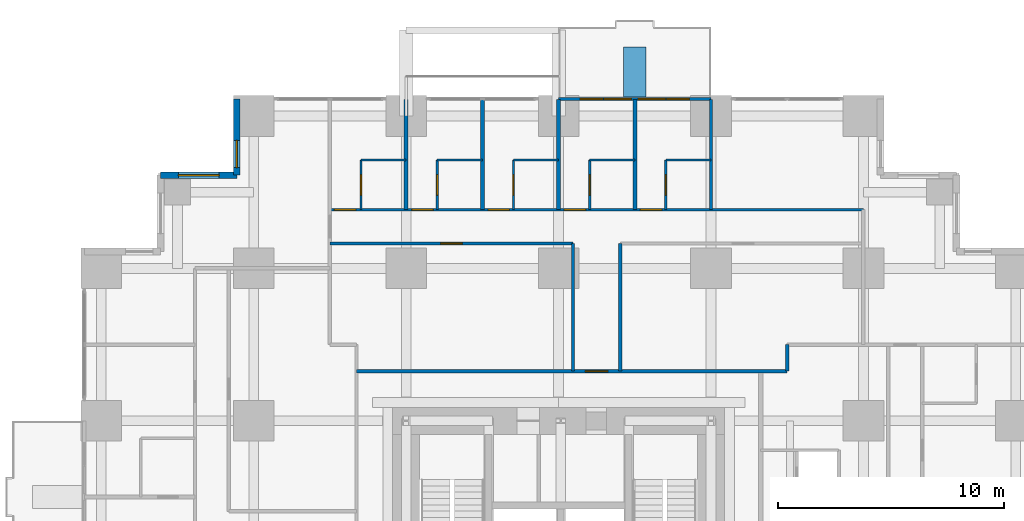
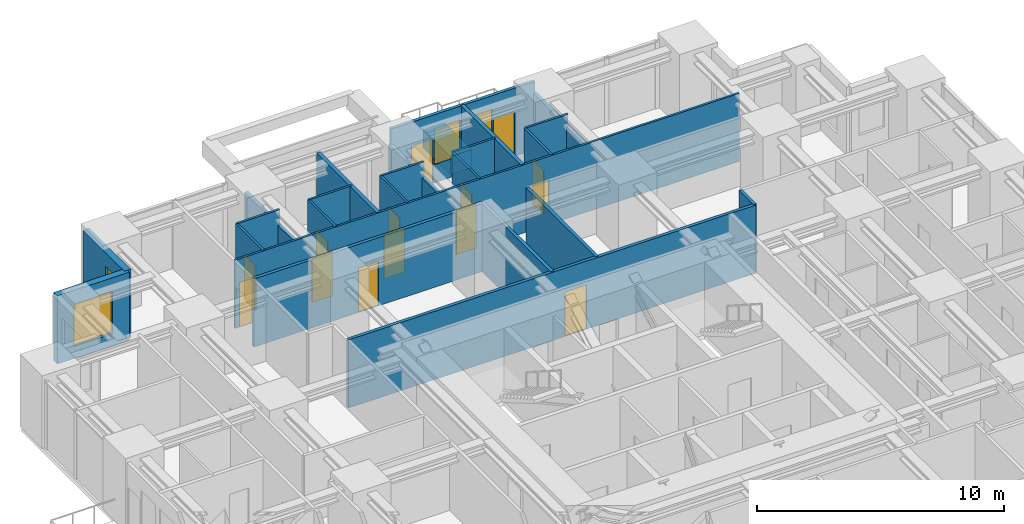
# One storey, part 12 of 14: 25 walls, 14 doors, 4 windows, 18 openings.
"""IFC4 building model written with IfcOpenShell, lengths in metres."""

from ifc_helpers import new_model, si_unit, direction, frame, frame_2d, origin, place, context, subcontext, project, spatial, rectangle, extrude, material, layer, layer_set, type_object, element, fill, save


model = new_model("IFC4")

# Units and contexts
model_context = context("Model", 3, precision=1e-05, world=origin(), true_north=direction((0.0, 1.0)))
body_context = subcontext(model_context, "Body", "Model", "MODEL_VIEW")
ifc_project = project(units=[si_unit("LENGTHUNIT", "METRE"), si_unit("AREAUNIT", "SQUARE_METRE"), si_unit("VOLUMEUNIT", "CUBIC_METRE"), si_unit("PLANEANGLEUNIT", "RADIAN"), si_unit("MASSUNIT", "GRAM", prefix="KILO")], contexts=[model_context])

# Site, building, storey
site_placement = place(None, origin())
site = spatial("IfcSite", under=ifc_project, at=site_placement, CompositionType="ELEMENT")
building_placement = place(site_placement, origin())
building = spatial("IfcBuilding", under=site, at=building_placement, Name="Nyansa Garden Tower", CompositionType="ELEMENT")
storey_placement = place(building_placement, frame((0.0, 0.0, 64.800048828125)))
storey = spatial("IfcBuildingStorey", under=building, at=storey_placement, Name="L17", CompositionType="ELEMENT", Elevation=64.800048828125)

# Walls
ifc_material_1 = material(Name="Dense blockwork, plastered both sides, 55 dB", Category="masonry")
ifc_layer_1 = layer(ifc_material_1, 0.175048828125)
ifc_layer_set_1 = layer_set([ifc_layer_1], Name="Acoustic party wall PW175")
wall_type_1 = type_object("IfcWallType", Name="Acoustic party wall PW175", PredefinedType="PARTITIONING", material=ifc_layer_set_1)
wall_1_placement = place(storey_placement, frame((13.5, 36.35009765625, 0.0), z_axis=(0.0, 0.0, 1.0), x_axis=(0.0, 1.0, 0.0)))
element("IfcWall", 1, at=wall_1_placement, inside=storey, type_object=wall_type_1, Name="Party wall", PredefinedType="PARTITIONING", context=body_context, shape_type="SweptSolid", body=[
    extrude(rectangle(XDim=4.8837890625, YDim=0.175048828125, at=frame_2d((2.44189453125, 0.0))), origin(), (0.0, 0.0, 1.0), 2.60986328125),
])
wall_2_placement = place(storey_placement, frame((16.875, 36.35009765625, 0.0), z_axis=(0.0, 0.0, 1.0), x_axis=(0.0, 1.0, 0.0)))
element("IfcWall", 2, at=wall_2_placement, inside=storey, type_object=wall_type_1, Name="Party wall", PredefinedType="PARTITIONING", context=body_context, shape_type="SweptSolid", body=[
    extrude(rectangle(XDim=4.8837890625, YDim=0.175048828125, at=frame_2d((2.44189453125, 0.0))), origin(), (0.0, 0.0, 1.0), 3.375),
])
wall_3_placement = place(storey_placement, frame((20.25, 36.35009765625, 0.0), z_axis=(0.0, 0.0, 1.0), x_axis=(0.0, 1.0, 0.0)))
element("IfcWall", 3, at=wall_3_placement, inside=storey, type_object=wall_type_1, Name="Party wall", PredefinedType="PARTITIONING", context=body_context, shape_type="SweptSolid", body=[
    extrude(rectangle(XDim=4.8837890625, YDim=0.175048828125, at=frame_2d((2.44189453125, 0.0))), origin(), (0.0, 0.0, 1.0), 2.60986328125),
])
wall_4_placement = place(storey_placement, frame((23.625, 36.35009765625, 0.0), z_axis=(0.0, 0.0, 1.0), x_axis=(0.0, 1.0, 0.0)))
element("IfcWall", 4, at=wall_4_placement, inside=storey, type_object=wall_type_1, Name="Party wall", PredefinedType="PARTITIONING", context=body_context, shape_type="SweptSolid", body=[
    extrude(rectangle(XDim=4.8837890625, YDim=0.175048828125, at=frame_2d((2.44189453125, 0.0))), origin(), (0.0, 0.0, 1.0), 3.375),
])

# Wall, openings, doors, windows
ifc_material_2 = material(Name="Black aluminium framed glazed screen", Category="aluminium")
ifc_layer_2 = layer(ifc_material_2, 0.14990234375)
ifc_layer_set_2 = layer_set([ifc_layer_2], Name="Balcony screen wall BW150")
wall_type_2 = type_object("IfcWallType", Name="Balcony screen wall BW150", PredefinedType="SOLIDWALL", material=ifc_layer_set_2)
wall_5_placement = place(storey_placement, frame((20.25, 41.25, 0.0), z_axis=(0.0, 0.0, 1.0), x_axis=(1.0, 0.0, 0.0)))
wall_5 = element("IfcWall", 5, at=wall_5_placement, inside=storey, type_object=wall_type_2, Name="Glazed screen wall L17 N", PredefinedType="SOLIDWALL", context=body_context, shape_type="SweptSolid", body=[
    extrude(rectangle(XDim=6.75, YDim=0.14990234375, at=frame_2d((3.375, 0.0))), origin(), (0.0, 0.0, 1.0), 3.375),
])
opening_1_placement = place(wall_5_placement, frame((0.96240234375, 0.0, 0.0)))
opening_1 = element("IfcOpeningElement", 6, at=opening_1_placement, cuts=wall_5, Name="Opening D20", PredefinedType="OPENING", context=body_context, shape_type="SweptSolid", body=[
    extrude(rectangle(XDim=1.0, YDim=2.199951171875, at=frame_2d((0.5, 1.10009765625))), frame((0.0, 0.0849609375, 0.0), z_axis=(0.0, -1.0, 0.0), x_axis=(1.0, 0.0, 0.0)), (0.0, 0.0, 1.0), 0.169921875),
])
opening_2_placement = place(wall_5_placement, frame((2.02490234375, 0.0, 0.89990234375)))
opening_2 = element("IfcOpeningElement", 7, at=opening_2_placement, cuts=wall_5, Name="Opening W6", PredefinedType="OPENING", context=body_context, shape_type="SweptSolid", body=[
    extrude(rectangle(XDim=1.199951171875, YDim=1.800048828125, at=frame_2d((0.60009765625, 0.89990234375))), frame((0.0, 0.0849609375, 0.0), z_axis=(0.0, -1.0, 0.0), x_axis=(1.0, 0.0, 0.0)), (0.0, 0.0, 1.0), 0.169921875),
])
opening_3_placement = place(wall_5_placement, frame((4.78759765625, 0.0, 0.0)))
opening_3 = element("IfcOpeningElement", 8, at=opening_3_placement, cuts=wall_5, Name="Opening D20", PredefinedType="OPENING", context=body_context, shape_type="SweptSolid", body=[
    extrude(rectangle(XDim=1.0, YDim=2.199951171875, at=frame_2d((0.5, 1.10009765625))), frame((0.0, 0.0849609375, 0.0), z_axis=(0.0, -1.0, 0.0), x_axis=(1.0, 0.0, 0.0)), (0.0, 0.0, 1.0), 0.169921875),
])
opening_4_placement = place(wall_5_placement, frame((3.52490234375, 0.0, 0.89990234375)))
opening_4 = element("IfcOpeningElement", 9, at=opening_4_placement, cuts=wall_5, Name="Opening W6", PredefinedType="OPENING", context=body_context, shape_type="SweptSolid", body=[
    extrude(rectangle(XDim=1.199951171875, YDim=1.800048828125, at=frame_2d((0.60009765625, 0.89990234375))), frame((0.0, 0.0849609375, 0.0), z_axis=(0.0, -1.0, 0.0), x_axis=(1.0, 0.0, 0.0)), (0.0, 0.0, 1.0), 0.169921875),
])
ifc_material_3 = material(Name="Black aluminium framed glazed door", Category="aluminium")
door_type_1 = type_object("IfcDoorType", Name="Balcony door D20 1000x2200", OperationType="NOTDEFINED", PredefinedType="DOOR", material=ifc_material_3)
door_1_placement = place(opening_1_placement, origin())
door_1 = element("IfcDoor", 10, at=door_1_placement, inside=storey, type_object=door_type_1, Name="Balcony door L17", OperationType="SINGLE_SWING_LEFT", OverallHeight=2.199951171875, OverallWidth=1.0, PredefinedType="DOOR", context=body_context, shape_type="SweptSolid", body=[
    extrude(rectangle(XDim=1.0, YDim=2.199951171875, at=frame_2d((0.5, 1.10009765625))), frame((0.0, 0.02490234375, 0.0), z_axis=(0.0, -1.0, 0.0), x_axis=(1.0, 0.0, 0.0)), (0.0, 0.0, 1.0), 0.050048828125),
])
fill(opening_1, door_1)
door_2_placement = place(opening_3_placement, origin())
door_2 = element("IfcDoor", 11, at=door_2_placement, inside=storey, type_object=door_type_1, Name="Balcony door L17", OperationType="SINGLE_SWING_RIGHT", OverallHeight=2.199951171875, OverallWidth=1.0, PredefinedType="DOOR", context=body_context, shape_type="SweptSolid", body=[
    extrude(rectangle(XDim=1.0, YDim=2.199951171875, at=frame_2d((0.5, 1.10009765625))), frame((0.0, 0.02490234375, 0.0), z_axis=(0.0, -1.0, 0.0), x_axis=(1.0, 0.0, 0.0)), (0.0, 0.0, 1.0), 0.050048828125),
])
fill(opening_3, door_2)
ifc_material_4 = material(Name="Black aluminium frame, dark tinted double glazing", Category="aluminium")
window_type_1 = type_object("IfcWindowType", Name="Balcony window W6 1200x1800", PartitioningType="SINGLE_PANEL", PredefinedType="WINDOW", material=ifc_material_4)
window_1_placement = place(opening_2_placement, origin())
window_1 = element("IfcWindow", 12, at=window_1_placement, inside=storey, type_object=window_type_1, Name="Window L17", OverallHeight=1.800048828125, OverallWidth=1.199951171875, PartitioningType="SINGLE_PANEL", PredefinedType="WINDOW", context=body_context, shape_type="SweptSolid", body=[
    extrude(rectangle(XDim=1.199951171875, YDim=1.800048828125, at=frame_2d((0.60009765625, 0.89990234375))), frame((0.0, 0.030029296875, 0.0), z_axis=(0.0, -1.0, 0.0), x_axis=(1.0, 0.0, 0.0)), (0.0, 0.0, 1.0), 0.06005859375),
])
fill(opening_2, window_1)
window_2_placement = place(opening_4_placement, origin())
window_2 = element("IfcWindow", 13, at=window_2_placement, inside=storey, type_object=window_type_1, Name="Window L17", OverallHeight=1.800048828125, OverallWidth=1.199951171875, PartitioningType="SINGLE_PANEL", PredefinedType="WINDOW", context=body_context, shape_type="SweptSolid", body=[
    extrude(rectangle(XDim=1.199951171875, YDim=1.800048828125, at=frame_2d((0.60009765625, 0.89990234375))), frame((0.0, 0.030029296875, 0.0), z_axis=(0.0, -1.0, 0.0), x_axis=(1.0, 0.0, 0.0)), (0.0, 0.0, 1.0), 0.06005859375),
])
fill(opening_4, window_2)

# Wall, opening, door
ifc_material_5 = material(Name="Blockwork, plastered both sides", Category="masonry")
ifc_layer_3 = layer(ifc_material_5, 0.14990234375)
ifc_layer_set_3 = layer_set([ifc_layer_3], Name="Partition PW150")
wall_type_3 = type_object("IfcWallType", Name="Partition PW150", PredefinedType="PARTITIONING", material=ifc_layer_set_3)
wall_6_placement = place(storey_placement, frame((10.125, 34.85009765625, 0.0), z_axis=(0.0, 0.0, 1.0), x_axis=(1.0, 0.0, 0.0)))
wall_6 = element("IfcWall", 14, at=wall_6_placement, inside=storey, type_object=wall_type_3, Name="Partition", PredefinedType="PARTITIONING", context=body_context, shape_type="SweptSolid", body=[
    extrude(rectangle(XDim=10.762451171875, YDim=0.14990234375, at=frame_2d((5.38134765625, 0.0))), origin(), (0.0, 0.0, 1.0), 3.375),
])
opening_5_placement = place(wall_6_placement, frame((4.89990234375, 0.0, 0.0)))
opening_5 = element("IfcOpeningElement", 15, at=opening_5_placement, cuts=wall_6, Name="Opening D01", PredefinedType="OPENING", context=body_context, shape_type="SweptSolid", body=[
    extrude(rectangle(XDim=0.949951171875, YDim=2.199951171875, at=frame_2d((0.47509765625, 1.10009765625))), frame((0.0, 0.0849609375, 0.0), z_axis=(0.0, -1.0, 0.0), x_axis=(1.0, 0.0, 0.0)), (0.0, 0.0, 1.0), 0.169921875),
])
ifc_material_6 = material(Name="Timber flush door, 30 minute fire resisting", Category="wood")
door_type_2 = type_object("IfcDoorType", Name="Bedroom door D01 950x2200", OperationType="SINGLE_SWING_LEFT", PredefinedType="DOOR", material=ifc_material_6)
door_3_placement = place(opening_5_placement, origin())
door_3 = element("IfcDoor", 16, at=door_3_placement, inside=storey, type_object=door_type_2, Name="Door L17-056", OperationType="SINGLE_SWING_LEFT", OverallHeight=2.199951171875, OverallWidth=0.949951171875, PredefinedType="DOOR", context=body_context, shape_type="SweptSolid", body=[
    extrude(rectangle(XDim=0.949951171875, YDim=2.199951171875, at=frame_2d((0.47509765625, 1.10009765625))), frame((0.0, 0.02490234375, 0.0), z_axis=(0.0, -1.0, 0.0), x_axis=(1.0, 0.0, 0.0)), (0.0, 0.0, 1.0), 0.050048828125),
])
fill(opening_5, door_3)

wall_7_placement = place(storey_placement, frame((11.300048828125, 29.199951171875, 0.0), z_axis=(0.0, 0.0, 1.0), x_axis=(1.0, 0.0, 0.0)))
wall_7 = element("IfcWall", 17, at=wall_7_placement, inside=storey, type_object=wall_type_3, Name="Partition", PredefinedType="PARTITIONING", context=body_context, shape_type="SweptSolid", body=[
    extrude(rectangle(XDim=19.074951171875, YDim=0.14990234375, at=frame_2d((9.53759765625, 0.0))), origin(), (0.0, 0.0, 1.0), 3.375),
])
opening_6_placement = place(wall_7_placement, frame((10.137451171875, 0.0, 0.0)))
opening_6 = element("IfcOpeningElement", 18, at=opening_6_placement, cuts=wall_7, Name="Opening D03", PredefinedType="OPENING", context=body_context, shape_type="SweptSolid", body=[
    extrude(rectangle(XDim=1.0, YDim=2.199951171875, at=frame_2d((0.5, 1.10009765625))), frame((0.0, 0.0849609375, 0.0), z_axis=(0.0, -1.0, 0.0), x_axis=(1.0, 0.0, 0.0)), (0.0, 0.0, 1.0), 0.169921875),
])
ifc_material_7 = material(Name="Timber flush door, 60 minute fire resisting", Category="wood")
door_type_3 = type_object("IfcDoorType", Name="Cluster entrance door D03 1000x2200", OperationType="SINGLE_SWING_LEFT", PredefinedType="DOOR", material=ifc_material_7)
door_4_placement = place(opening_6_placement, origin())
door_4 = element("IfcDoor", 19, at=door_4_placement, inside=storey, type_object=door_type_3, Name="Door L17-055", OperationType="SINGLE_SWING_LEFT", OverallHeight=2.199951171875, OverallWidth=1.0, PredefinedType="DOOR", context=body_context, shape_type="SweptSolid", body=[
    extrude(rectangle(XDim=1.0, YDim=2.199951171875, at=frame_2d((0.5, 1.10009765625))), frame((0.0, 0.02490234375, 0.0), z_axis=(0.0, -1.0, 0.0), x_axis=(1.0, 0.0, 0.0)), (0.0, 0.0, 1.0), 0.050048828125),
])
fill(opening_6, door_4)

# Walls
for number, where, z_axis, x_axis, name in (
    (20, (20.886962890625, 29.199951171875, 0.0), (0.0, 0.0, 1.0), (0.0, 1.0, 0.0), "Partition"),
    (21, (22.988037109375, 29.199951171875, 0.0), (0.0, 0.0, 1.0), (0.0, 1.0, 0.0), "Partition"),
):
    element("IfcWall", number, at=place(storey_placement, frame(where, z_axis=z_axis, x_axis=x_axis)), inside=storey, type_object=wall_type_3, Name=name, PredefinedType="PARTITIONING", context=body_context, shape_type="SweptSolid", body=[
        extrude(rectangle(XDim=5.650146484375, YDim=0.14990234375, at=frame_2d((2.8251953125, 0.0))), origin(), (0.0, 0.0, 1.0), 3.375),
    ])
wall_8_placement = place(storey_placement, frame((27.0, 36.35009765625, 0.0), z_axis=(0.0, 0.0, 1.0), x_axis=(0.0, 1.0, 0.0)))
element("IfcWall", 22, at=wall_8_placement, inside=storey, type_object=wall_type_3, Name="Partition", PredefinedType="PARTITIONING", context=body_context, shape_type="SweptSolid", body=[
    extrude(rectangle(XDim=4.8837890625, YDim=0.14990234375, at=frame_2d((2.44189453125, 0.0))), origin(), (0.0, 0.0, 1.0), 2.805908203125),
])
wall_9_placement = place(storey_placement, frame((30.375, 29.199951171875, 0.0), z_axis=(0.0, 0.0, 1.0), x_axis=(0.0, 1.0, 0.0)))
element("IfcWall", 23, at=wall_9_placement, inside=storey, type_object=wall_type_3, Name="Partition", PredefinedType="PARTITIONING", context=body_context, shape_type="SweptSolid", body=[
    extrude(rectangle(XDim=1.175048828125, YDim=0.14990234375, at=frame_2d((0.58740234375, 0.0))), origin(), (0.0, 0.0, 1.0), 3.375),
])

# Wall, opening, window
ifc_material_8 = material(Name="Turquoise glazed tile on concrete blockwork", Category="masonry")
ifc_layer_4 = layer(ifc_material_8, 0.300048828125)
ifc_layer_set_4 = layer_set([ifc_layer_4], Name="Tiled corner wall TW300")
wall_type_4 = type_object("IfcWallType", Name="Tiled corner wall TW300", PredefinedType="SOLIDWALL", material=ifc_layer_set_4)
wall_10_placement = place(storey_placement, frame((6.0, 41.25, 0.0), z_axis=(0.0, 0.0, 1.0), x_axis=(0.0, -1.0, 0.0)))
wall_10 = element("IfcWall", 24, at=wall_10_placement, inside=storey, type_object=wall_type_4, Name="Tiled corner wall L17", PredefinedType="SOLIDWALL", context=body_context, shape_type="SweptSolid", body=[
    extrude(rectangle(XDim=3.375, YDim=0.300048828125, at=frame_2d((1.6875, 0.0))), origin(), (0.0, 0.0, 1.0), 3.375),
])
opening_7_placement = place(wall_10_placement, frame((1.83251953125, 0.0, 0.89990234375)))
opening_7 = element("IfcOpeningElement", 25, at=opening_7_placement, cuts=wall_10, Name="Opening W4", PredefinedType="OPENING", context=body_context, shape_type="SweptSolid", body=[
    extrude(rectangle(XDim=1.199951171875, YDim=1.800048828125, at=frame_2d((0.60009765625, 0.89990234375))), frame((0.0, 0.159912109375, 0.0), z_axis=(0.0, -1.0, 0.0), x_axis=(1.0, 0.0, 0.0)), (0.0, 0.0, 1.0), 0.320068359375),
])
ifc_material_9 = material(Name="Black aluminium frame, dark tinted double glazing", Category="aluminium")
window_type_2 = type_object("IfcWindowType", Name="Window W4 1200x1800", PartitioningType="SINGLE_PANEL", PredefinedType="WINDOW", material=ifc_material_9)
window_3_placement = place(opening_7_placement, origin())
window_3 = element("IfcWindow", 26, at=window_3_placement, inside=storey, type_object=window_type_2, Name="Corner window L17", OverallHeight=1.800048828125, OverallWidth=1.199951171875, PartitioningType="SINGLE_PANEL", PredefinedType="WINDOW", context=body_context, shape_type="SweptSolid", body=[
    extrude(rectangle(XDim=1.199951171875, YDim=1.800048828125, at=frame_2d((0.60009765625, 0.89990234375))), frame((0.0, 0.030029296875, 0.0), z_axis=(0.0, -1.0, 0.0), x_axis=(1.0, 0.0, 0.0)), (0.0, 0.0, 1.0), 0.06005859375),
])
fill(opening_7, window_3)

wall_11_placement = place(storey_placement, frame((6.0, 37.875, 0.0), z_axis=(0.0, 0.0, 1.0), x_axis=(-1.0, 0.0, 0.0)))
wall_11 = element("IfcWall", 27, at=wall_11_placement, inside=storey, type_object=wall_type_4, Name="Tiled corner wall L17", PredefinedType="SOLIDWALL", context=body_context, shape_type="SweptSolid", body=[
    extrude(rectangle(XDim=3.375, YDim=0.300048828125, at=frame_2d((1.6875, 0.0))), origin(), (0.0, 0.0, 1.0), 3.375),
])
opening_8_placement = place(wall_11_placement, frame((0.78759765625, 0.0, 0.60009765625)))
opening_8 = element("IfcOpeningElement", 28, at=opening_8_placement, cuts=wall_11, Name="Opening W2", PredefinedType="OPENING", context=body_context, shape_type="SweptSolid", body=[
    extrude(rectangle(XDim=1.800048828125, YDim=2.10009765625, at=frame_2d((0.89990234375, 1.050048828125))), frame((0.0, 0.159912109375, 0.0), z_axis=(0.0, -1.0, 0.0), x_axis=(1.0, 0.0, 0.0)), (0.0, 0.0, 1.0), 0.320068359375),
])
ifc_material_10 = material(Name="Black aluminium frame, dark tinted double glazing", Category="aluminium")
window_type_3 = type_object("IfcWindowType", Name="Window W2 1800x2100", PartitioningType="SINGLE_PANEL", PredefinedType="WINDOW", material=ifc_material_10)
window_4_placement = place(opening_8_placement, origin())
window_4 = element("IfcWindow", 29, at=window_4_placement, inside=storey, type_object=window_type_3, Name="Corner window L17", OverallHeight=2.10009765625, OverallWidth=1.800048828125, PartitioningType="SINGLE_PANEL", PredefinedType="WINDOW", context=body_context, shape_type="SweptSolid", body=[
    extrude(rectangle(XDim=1.800048828125, YDim=2.10009765625, at=frame_2d((0.89990234375, 1.050048828125))), frame((0.0, 0.030029296875, 0.0), z_axis=(0.0, -1.0, 0.0), x_axis=(1.0, 0.0, 0.0)), (0.0, 0.0, 1.0), 0.06005859375),
])
fill(opening_8, window_4)

# Wall
ifc_material_11 = material(Name="Concrete C40/50 planter, waterproofed", Category="concrete")
ifc_layer_5 = layer(ifc_material_11, 1.0)
ifc_layer_set_5 = layer_set([ifc_layer_5], Name="Tree planter TP1")
wall_type_5 = type_object("IfcWallType", Name="Tree planter TP1", PredefinedType="USERDEFINED", material=ifc_layer_set_5)
wall_12_placement = place(storey_placement, frame((23.625, 41.35009765625, 0.0), z_axis=(0.0, 0.0, 1.0), x_axis=(0.0, 1.0, 0.0)))
element("IfcWall", 30, at=wall_12_placement, inside=storey, type_object=wall_type_5, Name="Tree planter L17", ObjectType="TREE PLANTER", PredefinedType="USERDEFINED", context=body_context, shape_type="SweptSolid", body=[
    extrude(rectangle(XDim=2.199951171875, YDim=1.0, at=frame_2d((1.10009765625, 0.0))), origin(), (0.0, 0.0, 1.0), 0.89990234375),
])

# Wall, openings, doors
ifc_material_12 = material(Name="Moisture resistant board on steel studs, tiled", Category="steel")
ifc_layer_6 = layer(ifc_material_12, 0.10009765625)
ifc_layer_set_6 = layer_set([ifc_layer_6], Name="Wet wall PW100")
wall_type_6 = type_object("IfcWallType", Name="Wet wall PW100", PredefinedType="PARTITIONING", material=ifc_layer_set_6)
wall_13_placement = place(storey_placement, frame((10.125, 36.35009765625, 0.0), z_axis=(0.0, 0.0, 1.0), x_axis=(1.0, 0.0, 0.0)))
wall_13 = element("IfcWall", 31, at=wall_13_placement, inside=storey, type_object=wall_type_6, Name="Wet wall", PredefinedType="PARTITIONING", context=body_context, shape_type="SweptSolid", body=[
    extrude(rectangle(XDim=23.625, YDim=0.10009765625, at=frame_2d((11.8125, 0.0))), origin(), (0.0, 0.0, 1.0), 3.375),
])
opening_9_placement = place(wall_13_placement, frame((0.199951171875, 0.0, 0.0)))
opening_9 = element("IfcOpeningElement", 32, at=opening_9_placement, cuts=wall_13, Name="Opening D14", PredefinedType="OPENING", context=body_context, shape_type="SweptSolid", body=[
    extrude(rectangle(XDim=0.949951171875, YDim=2.199951171875, at=frame_2d((0.47509765625, 1.10009765625))), frame((0.0, 0.06005859375, 0.0), z_axis=(0.0, -1.0, 0.0), x_axis=(1.0, 0.0, 0.0)), (0.0, 0.0, 1.0), 0.1201171875),
])
opening_10_placement = place(wall_13_placement, frame((3.625, 0.0, 0.0)))
opening_10 = element("IfcOpeningElement", 33, at=opening_10_placement, cuts=wall_13, Name="Opening D14", PredefinedType="OPENING", context=body_context, shape_type="SweptSolid", body=[
    extrude(rectangle(XDim=0.949951171875, YDim=2.199951171875, at=frame_2d((0.47509765625, 1.10009765625))), frame((0.0, 0.06005859375, 0.0), z_axis=(0.0, -1.0, 0.0), x_axis=(1.0, 0.0, 0.0)), (0.0, 0.0, 1.0), 0.1201171875),
])
opening_11_placement = place(wall_13_placement, frame((7.0, 0.0, 0.0)))
opening_11 = element("IfcOpeningElement", 34, at=opening_11_placement, cuts=wall_13, Name="Opening D14", PredefinedType="OPENING", context=body_context, shape_type="SweptSolid", body=[
    extrude(rectangle(XDim=0.949951171875, YDim=2.199951171875, at=frame_2d((0.47509765625, 1.10009765625))), frame((0.0, 0.06005859375, 0.0), z_axis=(0.0, -1.0, 0.0), x_axis=(1.0, 0.0, 0.0)), (0.0, 0.0, 1.0), 0.1201171875),
])
opening_12_placement = place(wall_13_placement, frame((10.375, 0.0, 0.0)))
opening_12 = element("IfcOpeningElement", 35, at=opening_12_placement, cuts=wall_13, Name="Opening D14", PredefinedType="OPENING", context=body_context, shape_type="SweptSolid", body=[
    extrude(rectangle(XDim=0.949951171875, YDim=2.199951171875, at=frame_2d((0.47509765625, 1.10009765625))), frame((0.0, 0.06005859375, 0.0), z_axis=(0.0, -1.0, 0.0), x_axis=(1.0, 0.0, 0.0)), (0.0, 0.0, 1.0), 0.1201171875),
])
opening_13_placement = place(wall_13_placement, frame((13.75, 0.0, 0.0)))
opening_13 = element("IfcOpeningElement", 36, at=opening_13_placement, cuts=wall_13, Name="Opening D14", PredefinedType="OPENING", context=body_context, shape_type="SweptSolid", body=[
    extrude(rectangle(XDim=0.949951171875, YDim=2.199951171875, at=frame_2d((0.47509765625, 1.10009765625))), frame((0.0, 0.06005859375, 0.0), z_axis=(0.0, -1.0, 0.0), x_axis=(1.0, 0.0, 0.0)), (0.0, 0.0, 1.0), 0.1201171875),
])
ifc_material_13 = material(Name="Timber flush door, 60 minute fire resisting, self-closing", Category="wood")
door_type_4 = type_object("IfcDoorType", Name="Studio entrance door D14 950x2200", OperationType="SINGLE_SWING_LEFT", PredefinedType="DOOR", material=ifc_material_13)
door_5_placement = place(opening_9_placement, origin())
door_5 = element("IfcDoor", 37, at=door_5_placement, inside=storey, type_object=door_type_4, Name="Door L17-045", OperationType="SINGLE_SWING_LEFT", OverallHeight=2.199951171875, OverallWidth=0.949951171875, PredefinedType="DOOR", context=body_context, shape_type="SweptSolid", body=[
    extrude(rectangle(XDim=0.949951171875, YDim=2.199951171875, at=frame_2d((0.47509765625, 1.10009765625))), frame((0.0, 0.02490234375, 0.0), z_axis=(0.0, -1.0, 0.0), x_axis=(1.0, 0.0, 0.0)), (0.0, 0.0, 1.0), 0.050048828125),
])
fill(opening_9, door_5)
door_6_placement = place(opening_10_placement, origin())
door_6 = element("IfcDoor", 38, at=door_6_placement, inside=storey, type_object=door_type_4, Name="Door L17-047", OperationType="SINGLE_SWING_LEFT", OverallHeight=2.199951171875, OverallWidth=0.949951171875, PredefinedType="DOOR", context=body_context, shape_type="SweptSolid", body=[
    extrude(rectangle(XDim=0.949951171875, YDim=2.199951171875, at=frame_2d((0.47509765625, 1.10009765625))), frame((0.0, 0.02490234375, 0.0), z_axis=(0.0, -1.0, 0.0), x_axis=(1.0, 0.0, 0.0)), (0.0, 0.0, 1.0), 0.050048828125),
])
fill(opening_10, door_6)
door_7_placement = place(opening_11_placement, origin())
door_7 = element("IfcDoor", 39, at=door_7_placement, inside=storey, type_object=door_type_4, Name="Door L17-049", OperationType="SINGLE_SWING_LEFT", OverallHeight=2.199951171875, OverallWidth=0.949951171875, PredefinedType="DOOR", context=body_context, shape_type="SweptSolid", body=[
    extrude(rectangle(XDim=0.949951171875, YDim=2.199951171875, at=frame_2d((0.47509765625, 1.10009765625))), frame((0.0, 0.02490234375, 0.0), z_axis=(0.0, -1.0, 0.0), x_axis=(1.0, 0.0, 0.0)), (0.0, 0.0, 1.0), 0.050048828125),
])
fill(opening_11, door_7)
door_8_placement = place(opening_12_placement, origin())
door_8 = element("IfcDoor", 40, at=door_8_placement, inside=storey, type_object=door_type_4, Name="Door L17-051", OperationType="SINGLE_SWING_LEFT", OverallHeight=2.199951171875, OverallWidth=0.949951171875, PredefinedType="DOOR", context=body_context, shape_type="SweptSolid", body=[
    extrude(rectangle(XDim=0.949951171875, YDim=2.199951171875, at=frame_2d((0.47509765625, 1.10009765625))), frame((0.0, 0.02490234375, 0.0), z_axis=(0.0, -1.0, 0.0), x_axis=(1.0, 0.0, 0.0)), (0.0, 0.0, 1.0), 0.050048828125),
])
fill(opening_12, door_8)
door_9_placement = place(opening_13_placement, origin())
door_9 = element("IfcDoor", 41, at=door_9_placement, inside=storey, type_object=door_type_4, Name="Door L17-053", OperationType="SINGLE_SWING_LEFT", OverallHeight=2.199951171875, OverallWidth=0.949951171875, PredefinedType="DOOR", context=body_context, shape_type="SweptSolid", body=[
    extrude(rectangle(XDim=0.949951171875, YDim=2.199951171875, at=frame_2d((0.47509765625, 1.10009765625))), frame((0.0, 0.02490234375, 0.0), z_axis=(0.0, -1.0, 0.0), x_axis=(1.0, 0.0, 0.0)), (0.0, 0.0, 1.0), 0.050048828125),
])
fill(opening_13, door_9)

# Wall, opening, door
wall_14_placement = place(storey_placement, frame((11.5, 36.35009765625, 0.0), z_axis=(0.0, 0.0, 1.0), x_axis=(0.0, 1.0, 0.0)))
wall_14 = element("IfcWall", 42, at=wall_14_placement, inside=storey, type_object=wall_type_6, Name="Wet wall", PredefinedType="PARTITIONING", context=body_context, shape_type="SweptSolid", body=[
    extrude(rectangle(XDim=2.199951171875, YDim=0.10009765625, at=frame_2d((1.10009765625, 0.0))), origin(), (0.0, 0.0, 1.0), 3.375),
])
opening_14_placement = place(wall_14_placement, frame((0.64990234375, 0.0, 0.0)))
opening_14 = element("IfcOpeningElement", 43, at=opening_14_placement, cuts=wall_14, Name="Opening D02", PredefinedType="OPENING", context=body_context, shape_type="SweptSolid", body=[
    extrude(rectangle(XDim=0.89990234375, YDim=2.199951171875, at=frame_2d((0.449951171875, 1.10009765625))), frame((0.0, 0.06005859375, 0.0), z_axis=(0.0, -1.0, 0.0), x_axis=(1.0, 0.0, 0.0)), (0.0, 0.0, 1.0), 0.1201171875),
])
ifc_material_14 = material(Name="Timber flush door", Category="wood")
door_type_5 = type_object("IfcDoorType", Name="En-suite door D02 900x2200", OperationType="SINGLE_SWING_RIGHT", PredefinedType="DOOR", material=ifc_material_14)
door_10_placement = place(opening_14_placement, origin())
door_10 = element("IfcDoor", 44, at=door_10_placement, inside=storey, type_object=door_type_5, Name="Door L17-046", OperationType="SINGLE_SWING_RIGHT", OverallHeight=2.199951171875, OverallWidth=0.89990234375, PredefinedType="DOOR", context=body_context, shape_type="SweptSolid", body=[
    extrude(rectangle(XDim=0.89990234375, YDim=2.199951171875, at=frame_2d((0.449951171875, 1.10009765625))), frame((0.0, 0.02490234375, 0.0), z_axis=(0.0, -1.0, 0.0), x_axis=(1.0, 0.0, 0.0)), (0.0, 0.0, 1.0), 0.050048828125),
])
fill(opening_14, door_10)

# Wall
wall_15_placement = place(storey_placement, frame((11.5, 38.550048828125, 0.0), z_axis=(0.0, 0.0, 1.0), x_axis=(1.0, 0.0, 0.0)))
element("IfcWall", 45, at=wall_15_placement, inside=storey, type_object=wall_type_6, Name="Wet wall", PredefinedType="PARTITIONING", context=body_context, shape_type="SweptSolid", body=[
    extrude(rectangle(XDim=2.0, YDim=0.10009765625, at=frame_2d((1.0, 0.0))), origin(), (0.0, 0.0, 1.0), 3.375),
])

# Wall, opening, door
wall_16_placement = place(storey_placement, frame((14.875, 36.35009765625, 0.0), z_axis=(0.0, 0.0, 1.0), x_axis=(0.0, 1.0, 0.0)))
wall_16 = element("IfcWall", 46, at=wall_16_placement, inside=storey, type_object=wall_type_6, Name="Wet wall", PredefinedType="PARTITIONING", context=body_context, shape_type="SweptSolid", body=[
    extrude(rectangle(XDim=2.199951171875, YDim=0.10009765625, at=frame_2d((1.10009765625, 0.0))), origin(), (0.0, 0.0, 1.0), 3.375),
])
opening_15_placement = place(wall_16_placement, frame((0.64990234375, 0.0, 0.0)))
opening_15 = element("IfcOpeningElement", 47, at=opening_15_placement, cuts=wall_16, Name="Opening D02", PredefinedType="OPENING", context=body_context, shape_type="SweptSolid", body=[
    extrude(rectangle(XDim=0.89990234375, YDim=2.199951171875, at=frame_2d((0.449951171875, 1.10009765625))), frame((0.0, 0.06005859375, 0.0), z_axis=(0.0, -1.0, 0.0), x_axis=(1.0, 0.0, 0.0)), (0.0, 0.0, 1.0), 0.1201171875),
])
door_11_placement = place(opening_15_placement, origin())
door_11 = element("IfcDoor", 48, at=door_11_placement, inside=storey, type_object=door_type_5, Name="Door L17-048", OperationType="SINGLE_SWING_RIGHT", OverallHeight=2.199951171875, OverallWidth=0.89990234375, PredefinedType="DOOR", context=body_context, shape_type="SweptSolid", body=[
    extrude(rectangle(XDim=0.89990234375, YDim=2.199951171875, at=frame_2d((0.449951171875, 1.10009765625))), frame((0.0, 0.02490234375, 0.0), z_axis=(0.0, -1.0, 0.0), x_axis=(1.0, 0.0, 0.0)), (0.0, 0.0, 1.0), 0.050048828125),
])
fill(opening_15, door_11)

# Wall
wall_17_placement = place(storey_placement, frame((14.875, 38.550048828125, 0.0), z_axis=(0.0, 0.0, 1.0), x_axis=(1.0, 0.0, 0.0)))
element("IfcWall", 49, at=wall_17_placement, inside=storey, type_object=wall_type_6, Name="Wet wall", PredefinedType="PARTITIONING", context=body_context, shape_type="SweptSolid", body=[
    extrude(rectangle(XDim=2.0, YDim=0.10009765625, at=frame_2d((1.0, 0.0))), origin(), (0.0, 0.0, 1.0), 3.375),
])

# Wall, opening, door
wall_18_placement = place(storey_placement, frame((18.25, 36.35009765625, 0.0), z_axis=(0.0, 0.0, 1.0), x_axis=(0.0, 1.0, 0.0)))
wall_18 = element("IfcWall", 50, at=wall_18_placement, inside=storey, type_object=wall_type_6, Name="Wet wall", PredefinedType="PARTITIONING", context=body_context, shape_type="SweptSolid", body=[
    extrude(rectangle(XDim=2.199951171875, YDim=0.10009765625, at=frame_2d((1.10009765625, 0.0))), origin(), (0.0, 0.0, 1.0), 3.375),
])
opening_16_placement = place(wall_18_placement, frame((0.64990234375, 0.0, 0.0)))
opening_16 = element("IfcOpeningElement", 51, at=opening_16_placement, cuts=wall_18, Name="Opening D02", PredefinedType="OPENING", context=body_context, shape_type="SweptSolid", body=[
    extrude(rectangle(XDim=0.89990234375, YDim=2.199951171875, at=frame_2d((0.449951171875, 1.10009765625))), frame((0.0, 0.06005859375, 0.0), z_axis=(0.0, -1.0, 0.0), x_axis=(1.0, 0.0, 0.0)), (0.0, 0.0, 1.0), 0.1201171875),
])
door_12_placement = place(opening_16_placement, origin())
door_12 = element("IfcDoor", 52, at=door_12_placement, inside=storey, type_object=door_type_5, Name="Door L17-050", OperationType="SINGLE_SWING_RIGHT", OverallHeight=2.199951171875, OverallWidth=0.89990234375, PredefinedType="DOOR", context=body_context, shape_type="SweptSolid", body=[
    extrude(rectangle(XDim=0.89990234375, YDim=2.199951171875, at=frame_2d((0.449951171875, 1.10009765625))), frame((0.0, 0.02490234375, 0.0), z_axis=(0.0, -1.0, 0.0), x_axis=(1.0, 0.0, 0.0)), (0.0, 0.0, 1.0), 0.050048828125),
])
fill(opening_16, door_12)

# Wall
wall_19_placement = place(storey_placement, frame((18.25, 38.550048828125, 0.0), z_axis=(0.0, 0.0, 1.0), x_axis=(1.0, 0.0, 0.0)))
element("IfcWall", 53, at=wall_19_placement, inside=storey, type_object=wall_type_6, Name="Wet wall", PredefinedType="PARTITIONING", context=body_context, shape_type="SweptSolid", body=[
    extrude(rectangle(XDim=2.0, YDim=0.10009765625, at=frame_2d((1.0, 0.0))), origin(), (0.0, 0.0, 1.0), 3.375),
])

# Wall, opening, door
wall_20_placement = place(storey_placement, frame((21.625, 36.35009765625, 0.0), z_axis=(0.0, 0.0, 1.0), x_axis=(0.0, 1.0, 0.0)))
wall_20 = element("IfcWall", 54, at=wall_20_placement, inside=storey, type_object=wall_type_6, Name="Wet wall", PredefinedType="PARTITIONING", context=body_context, shape_type="SweptSolid", body=[
    extrude(rectangle(XDim=2.199951171875, YDim=0.10009765625, at=frame_2d((1.10009765625, 0.0))), origin(), (0.0, 0.0, 1.0), 3.375),
])
opening_17_placement = place(wall_20_placement, frame((0.64990234375, 0.0, 0.0)))
opening_17 = element("IfcOpeningElement", 55, at=opening_17_placement, cuts=wall_20, Name="Opening D02", PredefinedType="OPENING", context=body_context, shape_type="SweptSolid", body=[
    extrude(rectangle(XDim=0.89990234375, YDim=2.199951171875, at=frame_2d((0.449951171875, 1.10009765625))), frame((0.0, 0.06005859375, 0.0), z_axis=(0.0, -1.0, 0.0), x_axis=(1.0, 0.0, 0.0)), (0.0, 0.0, 1.0), 0.1201171875),
])
door_13_placement = place(opening_17_placement, origin())
door_13 = element("IfcDoor", 56, at=door_13_placement, inside=storey, type_object=door_type_5, Name="Door L17-052", OperationType="SINGLE_SWING_RIGHT", OverallHeight=2.199951171875, OverallWidth=0.89990234375, PredefinedType="DOOR", context=body_context, shape_type="SweptSolid", body=[
    extrude(rectangle(XDim=0.89990234375, YDim=2.199951171875, at=frame_2d((0.449951171875, 1.10009765625))), frame((0.0, 0.02490234375, 0.0), z_axis=(0.0, -1.0, 0.0), x_axis=(1.0, 0.0, 0.0)), (0.0, 0.0, 1.0), 0.050048828125),
])
fill(opening_17, door_13)

# Wall
wall_21_placement = place(storey_placement, frame((21.625, 38.550048828125, 0.0), z_axis=(0.0, 0.0, 1.0), x_axis=(1.0, 0.0, 0.0)))
element("IfcWall", 57, at=wall_21_placement, inside=storey, type_object=wall_type_6, Name="Wet wall", PredefinedType="PARTITIONING", context=body_context, shape_type="SweptSolid", body=[
    extrude(rectangle(XDim=2.0, YDim=0.10009765625, at=frame_2d((1.0, 0.0))), origin(), (0.0, 0.0, 1.0), 3.375),
])

# Wall, opening, door
wall_22_placement = place(storey_placement, frame((25.0, 36.35009765625, 0.0), z_axis=(0.0, 0.0, 1.0), x_axis=(0.0, 1.0, 0.0)))
wall_22 = element("IfcWall", 58, at=wall_22_placement, inside=storey, type_object=wall_type_6, Name="Wet wall", PredefinedType="PARTITIONING", context=body_context, shape_type="SweptSolid", body=[
    extrude(rectangle(XDim=2.199951171875, YDim=0.10009765625, at=frame_2d((1.10009765625, 0.0))), origin(), (0.0, 0.0, 1.0), 3.375),
])
opening_18_placement = place(wall_22_placement, frame((0.64990234375, 0.0, 0.0)))
opening_18 = element("IfcOpeningElement", 59, at=opening_18_placement, cuts=wall_22, Name="Opening D02", PredefinedType="OPENING", context=body_context, shape_type="SweptSolid", body=[
    extrude(rectangle(XDim=0.89990234375, YDim=2.199951171875, at=frame_2d((0.449951171875, 1.10009765625))), frame((0.0, 0.06005859375, 0.0), z_axis=(0.0, -1.0, 0.0), x_axis=(1.0, 0.0, 0.0)), (0.0, 0.0, 1.0), 0.1201171875),
])
door_14_placement = place(opening_18_placement, origin())
door_14 = element("IfcDoor", 60, at=door_14_placement, inside=storey, type_object=door_type_5, Name="Door L17-054", OperationType="SINGLE_SWING_RIGHT", OverallHeight=2.199951171875, OverallWidth=0.89990234375, PredefinedType="DOOR", context=body_context, shape_type="SweptSolid", body=[
    extrude(rectangle(XDim=0.89990234375, YDim=2.199951171875, at=frame_2d((0.449951171875, 1.10009765625))), frame((0.0, 0.02490234375, 0.0), z_axis=(0.0, -1.0, 0.0), x_axis=(1.0, 0.0, 0.0)), (0.0, 0.0, 1.0), 0.050048828125),
])
fill(opening_18, door_14)

# Wall
wall_23_placement = place(storey_placement, frame((25.0, 38.550048828125, 0.0), z_axis=(0.0, 0.0, 1.0), x_axis=(1.0, 0.0, 0.0)))
element("IfcWall", 61, at=wall_23_placement, inside=storey, type_object=wall_type_6, Name="Wet wall", PredefinedType="PARTITIONING", context=body_context, shape_type="SweptSolid", body=[
    extrude(rectangle(XDim=2.0, YDim=0.10009765625, at=frame_2d((1.0, 0.0))), origin(), (0.0, 0.0, 1.0), 3.375),
])

save(model, "model.ifc")
